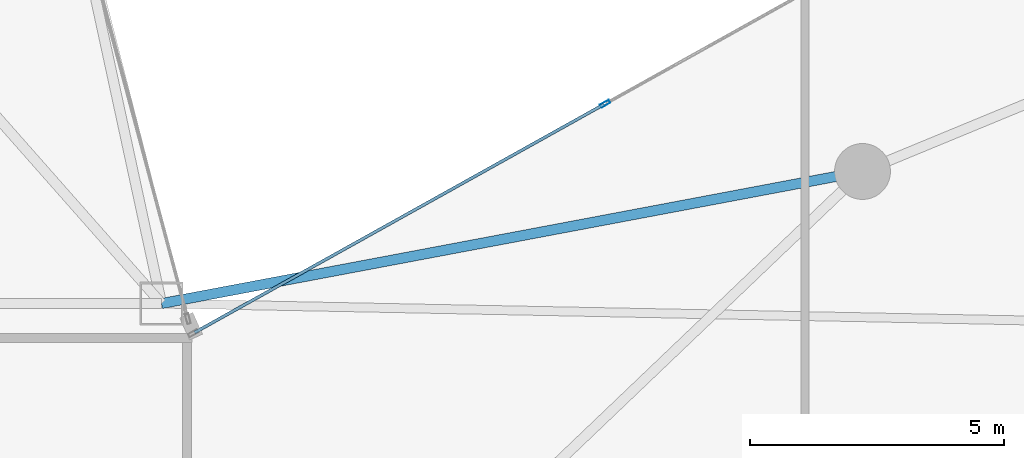
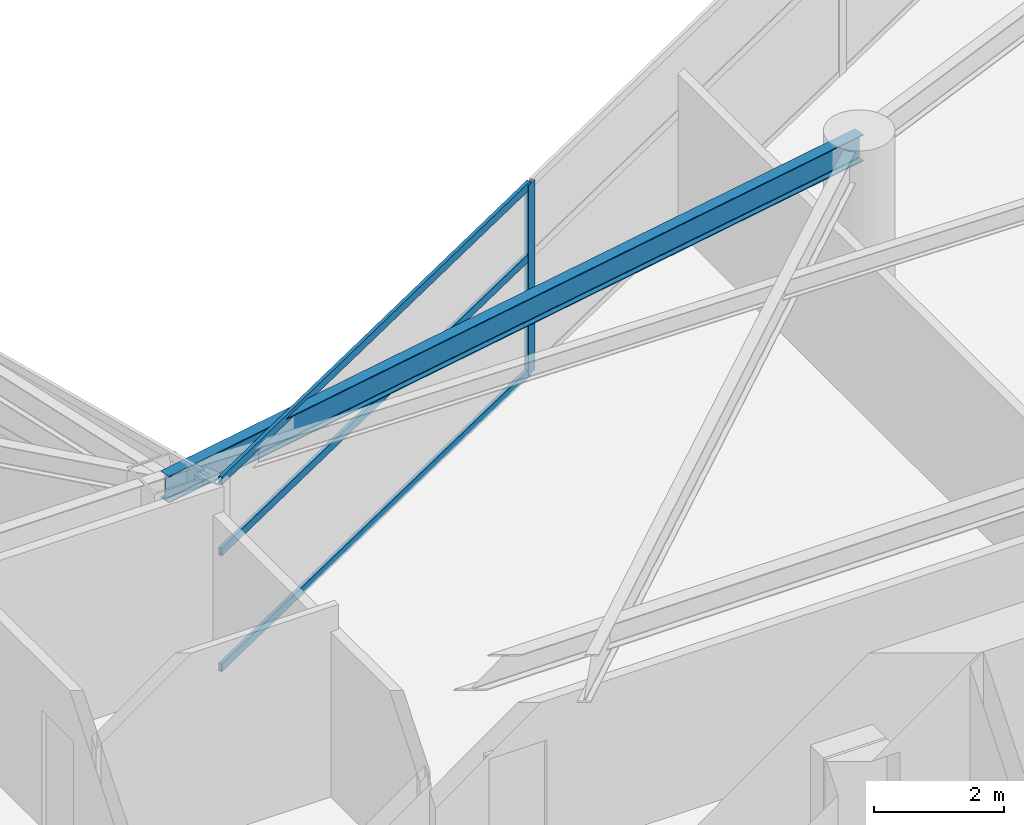
# One storey, part 11 of 28: 4 members, 1 beam, 1 element without a shape of its own.
"""IFC4 building model written with IfcOpenShell, lengths in metres."""

from ifc_helpers import new_model, si_unit, direction, frame, origin, origin_2d, place, context, subcontext, project, spatial, hollow_rectangle, i_section, extrude, material, layer, layer_set, material_profile, profile_set, type_object, element, aggregate, save


model = new_model("IFC4")

# Units and contexts
model_context = context("Model", 3, precision=1e-05, world=origin(), true_north=direction((0.0, 1.0)))
body_context = subcontext(model_context, "Body", "Model", "MODEL_VIEW")
ifc_project = project(units=[si_unit("LENGTHUNIT", "METRE"), si_unit("AREAUNIT", "SQUARE_METRE"), si_unit("VOLUMEUNIT", "CUBIC_METRE"), si_unit("PLANEANGLEUNIT", "RADIAN"), si_unit("MASSUNIT", "GRAM", prefix="KILO")], contexts=[model_context])

# Site, building, storey
site_placement = place(None, origin())
site = spatial("IfcSite", under=ifc_project, at=site_placement, CompositionType="ELEMENT")
building_placement = place(site_placement, origin())
building = spatial("IfcBuilding", under=site, at=building_placement, Name="Calvorn Quay Hotel", CompositionType="ELEMENT")
storey_placement = place(building_placement, frame((0.0, 0.0, 152.300048828125)))
storey = spatial("IfcBuildingStorey", under=building, at=storey_placement, Name="L37", CompositionType="ELEMENT", Elevation=152.300048828125)

# Beam
ifc_material_1 = material(Name="Steel Q355B", Category="steel")
ifc_material_profile_1 = material_profile(ifc_material_1, i_section(OverallWidth=0.199951171875, OverallDepth=0.5, WebThickness=0.010009765625, FlangeThickness=0.01611328125, FilletRadius=0.01611328125, at=origin_2d()), Name="HN500x200x10x16")
ifc_profile_set_1 = profile_set([ifc_material_profile_1], Name="Steel Q355B")
beam_type = type_object("IfcBeamType", Name="BM-SPANDREL-Z1", PredefinedType="SPANDREL", material=ifc_profile_set_1)
beam_placement = place(storey_placement, frame((34.800048828125, 27.60009765625, 3.2900390625), z_axis=(-0.982709432406, -0.185154452988, 0.0), x_axis=(0.185154452988, -0.982709432406, 0.0)))
element("IfcBeam", 1, at=beam_placement, inside=storey, type_object=beam_type, Name="Beam BSP-L37-E5", PredefinedType="SPANDREL", context=body_context, shape_type="SweptSolid", body=[
    extrude(i_section(OverallWidth=0.199951171875, OverallDepth=0.5, WebThickness=0.010009765625, FlangeThickness=0.01611328125, FilletRadius=0.01611328125, at=origin_2d()), origin(), (0.0, 0.0, 1.0), 14.04296875),
])

# Curtain wall, members
ifc_material_2 = material(Name="Pale Anodised Aluminium and Low-E Glass", Category="aluminium")
ifc_layer = layer(ifc_material_2, 0.219970703125)
ifc_layer_set = layer_set([ifc_layer], Name="CW-SYS-Z2")
curtain_wall_type = type_object("IfcCurtainWallType", Name="CW-SYS-Z2", PredefinedType="NOTDEFINED", material=ifc_layer_set)
curtain_wall_placement = place(storey_placement, origin())
curtain_wall = element("IfcCurtainWall", 2, at=curtain_wall_placement, inside=storey, type_object=curtain_wall_type, Name="Inner Court Curtain Wall L37-NE1", PredefinedType="NOTDEFINED")
ifc_material_3 = material(Name="Pale Anodised Aluminium 6063-T6", Category="aluminium")
ifc_material_profile_2 = material_profile(ifc_material_3, hollow_rectangle(XDim=0.070068359375, YDim=0.199951171875, WallThickness=0.00390625, at=origin_2d()), Name="ALU-M200x70x4")
ifc_profile_set_2 = profile_set([ifc_material_profile_2], Name="Pale Anodised Aluminium 6063-T6")
member_type_1 = type_object("IfcMemberType", Name="CW-SYS-Z2-MUL", PredefinedType="MULLION", material=ifc_profile_set_2)
member_1_placement = place(storey_placement, frame((29.7333984375, 28.933349609375, 0.0), z_axis=(0.0, 0.0, 1.0), x_axis=(0.486858256224, -0.873480989116, 0.0)))
member_1 = element("IfcMember", 3, at=member_1_placement, type_object=member_type_1, Name="CW-L37-NE1 mullion 3", PredefinedType="MULLION", context=body_context, shape_type="SweptSolid", body=[
    extrude(hollow_rectangle(XDim=0.070068359375, YDim=0.199951171875, WallThickness=0.00390625, at=origin_2d()), origin(), (0.0, 0.0, 1.0), 3.56005859375),
])
ifc_material_4 = material(Name="Pale Anodised Aluminium 6063-T6", Category="aluminium")
ifc_material_profile_3 = material_profile(ifc_material_4, hollow_rectangle(XDim=0.06005859375, YDim=0.14990234375, WallThickness=0.00341796875, at=origin_2d()), Name="ALU-T150x60x3.5")
ifc_profile_set_3 = profile_set([ifc_material_profile_3], Name="Pale Anodised Aluminium 6063-T6")
member_type_2 = type_object("IfcMemberType", Name="CW-SYS-Z2-TRN", PredefinedType="USERDEFINED", material=ifc_profile_set_3)
member_2_placement = place(storey_placement, frame((29.70703125, 28.918701171875, 0.030029296875), z_axis=(-0.87348080454, -0.486858587375, 0.0), x_axis=(0.486858587375, -0.87348080454, 0.0)))
member_2 = element("IfcMember", 4, at=member_2_placement, type_object=member_type_2, Name="CW-L37-NE1 transom 3.1", ObjectType="TRANSOM", PredefinedType="USERDEFINED", context=body_context, shape_type="SweptSolid", body=[
    extrude(hollow_rectangle(XDim=0.06005859375, YDim=0.14990234375, WallThickness=0.00341796875, at=origin_2d()), origin(), (0.0, 0.0, 1.0), 9.221435546875),
])
member_3_placement = place(storey_placement, frame((29.70703125, 28.918701171875, 2.199951171875), z_axis=(-0.87348080454, -0.486858587375, 0.0), x_axis=(0.486858587375, -0.87348080454, 0.0)))
member_3 = element("IfcMember", 5, at=member_3_placement, type_object=member_type_2, Name="CW-L37-NE1 transom 3.2", ObjectType="TRANSOM", PredefinedType="USERDEFINED", context=body_context, shape_type="SweptSolid", body=[
    extrude(hollow_rectangle(XDim=0.06005859375, YDim=0.14990234375, WallThickness=0.00341796875, at=origin_2d()), origin(), (0.0, 0.0, 1.0), 9.221435546875),
])
member_4_placement = place(storey_placement, frame((29.70703125, 28.918701171875, 3.530029296875), z_axis=(-0.87348080454, -0.486858587375, 0.0), x_axis=(0.486858587375, -0.87348080454, 0.0)))
member_4 = element("IfcMember", 6, at=member_4_placement, type_object=member_type_2, Name="CW-L37-NE1 transom 3.3", ObjectType="TRANSOM", PredefinedType="USERDEFINED", context=body_context, shape_type="SweptSolid", body=[
    extrude(hollow_rectangle(XDim=0.06005859375, YDim=0.14990234375, WallThickness=0.00341796875, at=origin_2d()), origin(), (0.0, 0.0, 1.0), 9.221435546875),
])
aggregate(curtain_wall, [member_1, member_2, member_3, member_4])

save(model, "model.ifc")
